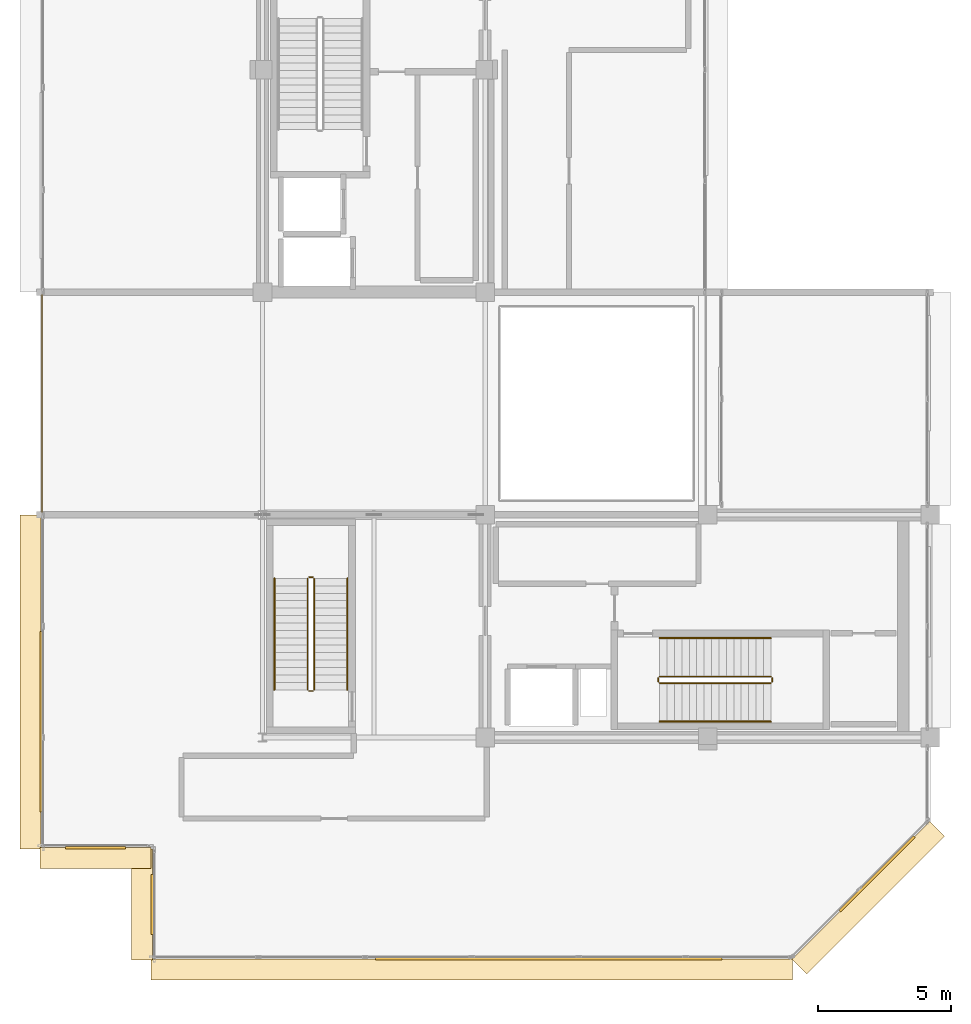
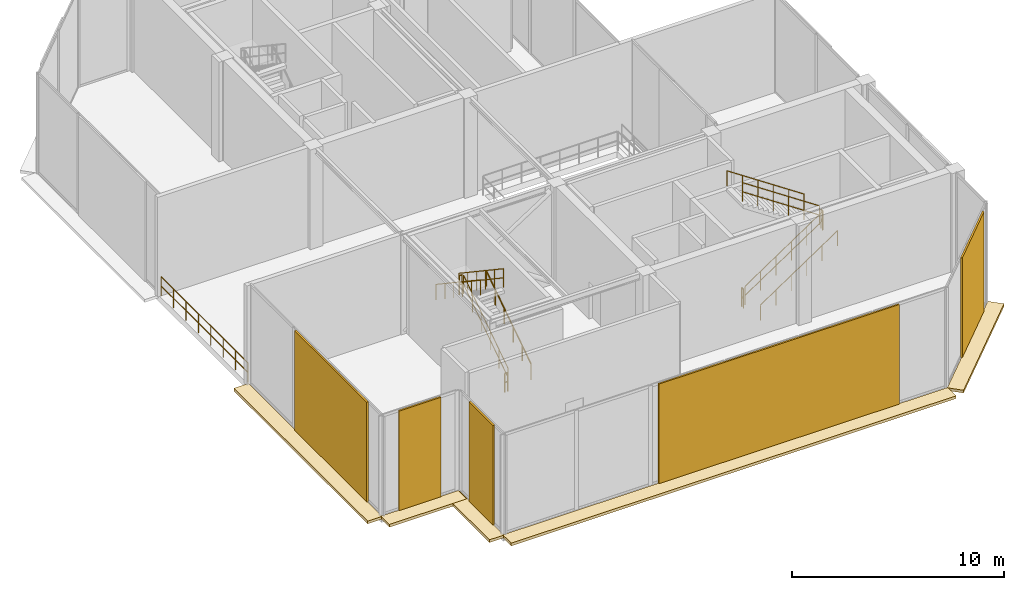
# One storey, part 17 of 19: 13 railings, 10 coverings.
"""IFC4 building model written with IfcOpenShell, lengths in metres."""

from ifc_helpers import new_model, si_unit, direction, frame, origin, origin_2d, place, context, subcontext, project, spatial, polyline, rectangle, circle, outline, extrude, material, layer, layer_set, type_object, element, save


model = new_model("IFC4")

# Units and contexts
model_context = context("Model", 3, precision=1e-05, world=origin(), true_north=direction((0.0, 1.0)))
body_context = subcontext(model_context, "Body", "Model", "MODEL_VIEW")
ifc_project = project(units=[si_unit("LENGTHUNIT", "METRE"), si_unit("AREAUNIT", "SQUARE_METRE"), si_unit("VOLUMEUNIT", "CUBIC_METRE"), si_unit("PLANEANGLEUNIT", "RADIAN"), si_unit("MASSUNIT", "GRAM", prefix="KILO")], contexts=[model_context])

# Site, building, storey
site_placement = place(None, origin())
site = spatial("IfcSite", under=ifc_project, at=site_placement, CompositionType="ELEMENT")
building_placement = place(site_placement, origin())
building = spatial("IfcBuilding", under=site, at=building_placement, Name="Nerrivon Quay Data Exchange", CompositionType="ELEMENT")
storey_placement = place(building_placement, frame((0.0, 0.0, 327.0)))
storey = spatial("IfcBuildingStorey", under=building, at=storey_placement, Name="L78", CompositionType="ELEMENT", Elevation=327.0)

# Coverings
ifc_material_1 = material(Name="Architectural terracotta ceramic", Category="masonry")
ifc_layer_1 = layer(ifc_material_1, 0.159912109375)
ifc_layer_set_1 = layer_set([ifc_layer_1], Name="Architectural terracotta ceramic")
covering_type_1 = type_object("IfcCoveringType", Name="COV-BLD-TERR", PredefinedType="CLADDING", material=ifc_layer_set_1)
covering_1_placement = place(storey_placement, frame((0.0, 0.0, -0.159912109375)))
element("IfcCovering", 1, at=covering_1_placement, inside=storey, type_object=covering_type_1, Name="L78 Horizontal Terracotta SOLAR SCREEN Blade", PredefinedType="CLADDING", context=body_context, shape_type="SweptSolid", body=[
    extrude(outline(polyline([(33.57177734375, 5.228271484375), (28.37158203125, 0.0283203125), (28.930419921875, -0.5302734375), (34.13037109375, 4.669677734375), (33.57177734375, 5.228271484375)])), origin(), (0.0, 0.0, 1.0), 0.159912109375),
])
covering_2_placement = place(storey_placement, frame((0.0, 0.0, -0.159912109375)))
element("IfcCovering", 2, at=covering_2_placement, inside=storey, type_object=covering_type_1, Name="L78 Horizontal Terracotta SOLAR SCREEN Blade", PredefinedType="CLADDING", context=body_context, shape_type="SweptSolid", body=[
    extrude(outline(polyline([(28.39990234375, 0.0400390625), (4.199951171875, 0.0400390625), (4.199951171875, -0.75), (28.39990234375, -0.75), (28.39990234375, 0.0400390625)])), origin(), (0.0, 0.0, 1.0), 0.159912109375),
])
covering_3_placement = place(storey_placement, frame((0.0, 0.0, -0.159912109375)))
element("IfcCovering", 3, at=covering_3_placement, inside=storey, type_object=covering_type_1, Name="L78 Horizontal Terracotta SOLAR SCREEN Blade", PredefinedType="CLADDING", context=body_context, shape_type="SweptSolid", body=[
    extrude(outline(polyline([(4.239990234375, 0.0), (4.239990234375, 4.199951171875), (3.449951171875, 4.199951171875), (3.449951171875, 0.0), (4.239990234375, 0.0)])), origin(), (0.0, 0.0, 1.0), 0.159912109375),
])
covering_4_placement = place(storey_placement, frame((0.0, 0.0, -0.159912109375)))
element("IfcCovering", 4, at=covering_4_placement, inside=storey, type_object=covering_type_1, Name="L78 Horizontal Terracotta SOLAR SCREEN Blade", PredefinedType="CLADDING", context=body_context, shape_type="SweptSolid", body=[
    extrude(outline(polyline([(4.199951171875, 4.239990234375), (0.0, 4.239990234375), (0.0, 3.449951171875), (4.199951171875, 3.449951171875), (4.199951171875, 4.239990234375)])), origin(), (0.0, 0.0, 1.0), 0.159912109375),
])
covering_5_placement = place(storey_placement, frame((0.0, 0.0, -0.159912109375)))
element("IfcCovering", 5, at=covering_5_placement, inside=storey, type_object=covering_type_1, Name="L78 Horizontal Terracotta SOLAR SCREEN Blade", PredefinedType="CLADDING", context=body_context, shape_type="SweptSolid", body=[
    extrude(outline(polyline([(0.0400390625, 4.199951171875), (0.0400390625, 16.800048828125), (-0.75, 16.800048828125), (-0.75, 4.199951171875), (0.0400390625, 4.199951171875)])), origin(), (0.0, 0.0, 1.0), 0.159912109375),
])
ifc_layer_2 = layer(ifc_material_1, 0.090087890625)
ifc_layer_set_2 = layer_set([ifc_layer_2], Name="Architectural terracotta ceramic")
covering_type_2 = type_object("IfcCoveringType", Name="COV-SCR-TERR", PredefinedType="CLADDING", material=ifc_layer_set_2)
covering_6_placement = place(storey_placement, frame((31.59228515625, 3.255859375, 0.0), z_axis=(0.0, 0.0, 1.0), x_axis=(-0.707106781187, -0.707106781187, 0.0)))
element("IfcCovering", 6, at=covering_6_placement, inside=storey, type_object=covering_type_2, Name="L78 Perforated Terracotta SOLAR SCREEN Cassette", PredefinedType="CLADDING", context=body_context, shape_type="SweptSolid", body=[
    extrude(rectangle(XDim=3.970947265625, YDim=0.090087890625, at=origin_2d()), origin(), (0.0, 0.0, 1.0), 5.72509765625),
])
covering_7_placement = place(storey_placement, frame((19.2041015625, 0.044921875, 0.0), z_axis=(0.0, 0.0, 1.0), x_axis=(-1.0, 0.0, 0.0)))
element("IfcCovering", 7, at=covering_7_placement, inside=storey, type_object=covering_type_2, Name="L78 Perforated Terracotta SOLAR SCREEN Cassette", PredefinedType="CLADDING", context=body_context, shape_type="SweptSolid", body=[
    extrude(rectangle(XDim=13.068115234375, YDim=0.090087890625, at=origin_2d()), origin(), (0.0, 0.0, 1.0), 5.72509765625),
])
for number, where, z_axis, x_axis, name in (
    (8, (4.2451171875, 2.10009765625, 0.0), (0.0, 0.0, 1.0), (0.0, 1.0, 0.0), "L78 Perforated Terracotta SOLAR SCREEN Cassette"),
    (9, (2.10009765625, 4.2451171875, 0.0), (0.0, 0.0, 1.0), (-1.0, 0.0, 0.0), "L78 Perforated Terracotta SOLAR SCREEN Cassette"),
):
    element("IfcCovering", number, at=place(storey_placement, frame(where, z_axis=z_axis, x_axis=x_axis)), inside=storey, type_object=covering_type_2, Name=name, PredefinedType="CLADDING", context=body_context, shape_type="SweptSolid", body=[
        extrude(rectangle(XDim=2.26806640625, YDim=0.090087890625, at=origin_2d()), origin(), (0.0, 0.0, 1.0), 5.72509765625),
    ])
covering_8_placement = place(storey_placement, frame((0.044921875, 8.988037109375, 0.0), z_axis=(0.0, 0.0, 1.0), x_axis=(0.0, 1.0, 0.0)))
element("IfcCovering", 10, at=covering_8_placement, inside=storey, type_object=covering_type_2, Name="L78 Perforated Terracotta SOLAR SCREEN Cassette", PredefinedType="CLADDING", context=body_context, shape_type="SweptSolid", body=[
    extrude(rectangle(XDim=6.803955078125, YDim=0.090087890625, at=origin_2d()), origin(), (0.0, 0.0, 1.0), 5.72509765625),
])

# Railings
ifc_material_2 = material(Name="Steel Grade C350L0 (350 MPa)", Category="steel")
railing_type_1 = type_object("IfcRailingType", Name="RAIL-GUARD-GR2", PredefinedType="BALUSTRADE", material=ifc_material_2)
railing_1_placement = place(storey_placement, frame((0.080078125, 16.89990234375, 0.0)))
element("IfcRailing", 11, at=railing_1_placement, inside=storey, type_object=railing_type_1, Name="L78 Wind Portal West Edge Guard 1", PredefinedType="BALUSTRADE", context=body_context, shape_type="SweptSolid", body=[
    extrude(circle(Radius=0.02392578125, at=origin_2d()), frame((0.0, 0.0, 1.09619140625), z_axis=(0.0, 1.0, 0.0), x_axis=(-1.0, 0.0, 0.0)), (0.0, 0.0, 1.0), 8.2001953125),
    extrude(circle(Radius=0.02392578125, at=origin_2d()), frame((0.0, 0.0, 0.56005859375), z_axis=(0.0, 1.0, 0.0), x_axis=(-1.0, 0.0, 0.0)), (0.0, 0.0, 1.0), 8.2001953125),
    extrude(circle(Radius=0.02099609375, at=origin_2d()), origin(), (0.0, 0.0, 1.0), 1.072021484375),
    extrude(circle(Radius=0.02099609375, at=origin_2d()), frame((0.0, 1.17138671875, 0.0)), (0.0, 0.0, 1.0), 1.072021484375),
    extrude(circle(Radius=0.02099609375, at=origin_2d()), frame((0.0, 2.343017578125, 0.0)), (0.0, 0.0, 1.0), 1.072021484375),
    extrude(circle(Radius=0.02099609375, at=origin_2d()), frame((0.0, 3.514404296875, 0.0)), (0.0, 0.0, 1.0), 1.072021484375),
    extrude(circle(Radius=0.02099609375, at=origin_2d()), frame((0.0, 4.685791015625, 0.0)), (0.0, 0.0, 1.0), 1.072021484375),
    extrude(circle(Radius=0.02099609375, at=origin_2d()), frame((0.0, 5.857177734375, 0.0)), (0.0, 0.0, 1.0), 1.072021484375),
    extrude(circle(Radius=0.02099609375, at=origin_2d()), frame((0.0, 7.02880859375, 0.0)), (0.0, 0.0, 1.0), 1.072021484375),
    extrude(circle(Radius=0.02099609375, at=origin_2d()), frame((0.0, 8.2001953125, 0.0)), (0.0, 0.0, 1.0), 1.072021484375),
])
railing_type_2 = type_object("IfcRailingType", Name="RAIL-HAND-HR1", PredefinedType="HANDRAIL", material=ifc_material_2)
railing_2_placement = place(storey_placement, frame((23.3798828125, 9.0, 0.1875)))
element("IfcRailing", 12, at=railing_2_placement, inside=storey, type_object=railing_type_2, Name="L78 ST02 stair handrail 1", PredefinedType="HANDRAIL", context=body_context, shape_type="SweptSolid", body=[
    extrude(circle(Radius=0.02392578125, at=origin_2d()), frame((0.0, 0.0, 0.8759765625), z_axis=(0.830919138977, 0.0, 0.55639319234), x_axis=(0.0, 1.0, 0.0)), (0.0, 0.0, 1.0), 5.054931640625),
    extrude(circle(Radius=0.02099609375, at=origin_2d()), origin(), (0.0, 0.0, 1.0), 0.851806640625),
    extrude(circle(Radius=0.02099609375, at=origin_2d()), frame((0.840087890625, 0.0, 0.5625)), (0.0, 0.0, 1.0), 0.851806640625),
    extrude(circle(Radius=0.02099609375, at=origin_2d()), frame((1.68017578125, 0.0, 1.125)), (0.0, 0.0, 1.0), 0.851806640625),
    extrude(circle(Radius=0.02099609375, at=origin_2d()), frame((2.52001953125, 0.0, 1.6875)), (0.0, 0.0, 1.0), 0.851806640625),
    extrude(circle(Radius=0.02099609375, at=origin_2d()), frame((3.360107421875, 0.0, 2.25)), (0.0, 0.0, 1.0), 0.851806640625),
    extrude(circle(Radius=0.02099609375, at=origin_2d()), frame((4.2001953125, 0.0, 2.8125)), (0.0, 0.0, 1.0), 0.851806640625),
])
railing_3_placement = place(storey_placement, frame((27.580078125, 12.14990234375, 3.1875)))
element("IfcRailing", 13, at=railing_3_placement, inside=storey, type_object=railing_type_2, Name="L78 ST02 stair handrail 2", PredefinedType="HANDRAIL", context=body_context, shape_type="SweptSolid", body=[
    extrude(circle(Radius=0.02392578125, at=origin_2d()), frame((0.0, 0.0, 0.8759765625), z_axis=(-0.830919138977, 0.0, 0.55639319234), x_axis=(0.0, -1.0, 0.0)), (0.0, 0.0, 1.0), 5.054931640625),
    extrude(circle(Radius=0.02099609375, at=origin_2d()), origin(), (0.0, 0.0, 1.0), 0.851806640625),
    extrude(circle(Radius=0.02099609375, at=origin_2d()), frame((-0.840087890625, 0.0, 0.5625)), (0.0, 0.0, 1.0), 0.851806640625),
    extrude(circle(Radius=0.02099609375, at=origin_2d()), frame((-1.68017578125, 0.0, 1.125)), (0.0, 0.0, 1.0), 0.851806640625),
    extrude(circle(Radius=0.02099609375, at=origin_2d()), frame((-2.52001953125, 0.0, 1.6875)), (0.0, 0.0, 1.0), 0.851806640625),
    extrude(circle(Radius=0.02099609375, at=origin_2d()), frame((-3.360107421875, 0.0, 2.25)), (0.0, 0.0, 1.0), 0.851806640625),
    extrude(circle(Radius=0.02099609375, at=origin_2d()), frame((-4.2001953125, 0.0, 2.8125)), (0.0, 0.0, 1.0), 0.851806640625),
])
railing_4_placement = place(storey_placement, frame((11.60009765625, 10.199951171875, 0.1875)))
element("IfcRailing", 14, at=railing_4_placement, inside=storey, type_object=railing_type_2, Name="L78 ST08 stair handrail 1", PredefinedType="HANDRAIL", context=body_context, shape_type="SweptSolid", body=[
    extrude(circle(Radius=0.02392578125, at=origin_2d()), frame((0.0, 0.0, 0.8759765625), z_axis=(0.0, 0.830904186295, 0.556415522067), x_axis=(-1.0, 0.0, 0.0)), (0.0, 0.0, 1.0), 5.0546875),
    extrude(circle(Radius=0.02099609375, at=origin_2d()), origin(), (0.0, 0.0, 1.0), 0.851806640625),
    extrude(circle(Radius=0.02099609375, at=origin_2d()), frame((0.0, 0.840087890625, 0.5625)), (0.0, 0.0, 1.0), 0.851806640625),
    extrude(circle(Radius=0.02099609375, at=origin_2d()), frame((0.0, 1.679931640625, 1.125)), (0.0, 0.0, 1.0), 0.851806640625),
    extrude(circle(Radius=0.02099609375, at=origin_2d()), frame((0.0, 2.52001953125, 1.6875)), (0.0, 0.0, 1.0), 0.851806640625),
    extrude(circle(Radius=0.02099609375, at=origin_2d()), frame((0.0, 3.35986328125, 2.25)), (0.0, 0.0, 1.0), 0.851806640625),
    extrude(circle(Radius=0.02099609375, at=origin_2d()), frame((0.0, 4.199951171875, 2.8125)), (0.0, 0.0, 1.0), 0.851806640625),
])
railing_5_placement = place(storey_placement, frame((8.85009765625, 14.39990234375, 3.1875)))
element("IfcRailing", 15, at=railing_5_placement, inside=storey, type_object=railing_type_2, Name="L78 ST08 stair handrail 2", PredefinedType="HANDRAIL", context=body_context, shape_type="SweptSolid", body=[
    extrude(circle(Radius=0.02392578125, at=origin_2d()), frame((0.0, 0.0, 0.8759765625), z_axis=(0.0, -0.830904186295, 0.556415522067), x_axis=(1.0, 0.0, 0.0)), (0.0, 0.0, 1.0), 5.0546875),
    extrude(circle(Radius=0.02099609375, at=origin_2d()), origin(), (0.0, 0.0, 1.0), 0.851806640625),
    extrude(circle(Radius=0.02099609375, at=origin_2d()), frame((0.0, -0.840087890625, 0.5625)), (0.0, 0.0, 1.0), 0.851806640625),
    extrude(circle(Radius=0.02099609375, at=origin_2d()), frame((0.0, -1.679931640625, 1.125)), (0.0, 0.0, 1.0), 0.851806640625),
    extrude(circle(Radius=0.02099609375, at=origin_2d()), frame((0.0, -2.52001953125, 1.6875)), (0.0, 0.0, 1.0), 0.851806640625),
    extrude(circle(Radius=0.02099609375, at=origin_2d()), frame((0.0, -3.35986328125, 2.25)), (0.0, 0.0, 1.0), 0.851806640625),
    extrude(circle(Radius=0.02099609375, at=origin_2d()), frame((0.0, -4.199951171875, 2.8125)), (0.0, 0.0, 1.0), 0.851806640625),
])
railing_type_3 = type_object("IfcRailingType", Name="RAIL-STAIR-GR1", PredefinedType="BALUSTRADE", material=ifc_material_2)
railing_6_placement = place(storey_placement, frame((23.3798828125, 10.449951171875, 0.1875)))
element("IfcRailing", 16, at=railing_6_placement, inside=storey, type_object=railing_type_3, Name="L78 ST02 stair guard 1", PredefinedType="BALUSTRADE", context=body_context, shape_type="SweptSolid", body=[
    extrude(circle(Radius=0.02392578125, at=origin_2d()), frame((0.0, 0.0, 1.076171875), z_axis=(0.830919138977, 0.0, 0.55639319234), x_axis=(0.0, 1.0, 0.0)), (0.0, 0.0, 1.0), 5.054931640625),
    extrude(circle(Radius=0.02392578125, at=origin_2d()), frame((0.0, 0.0, 0.550048828125), z_axis=(0.830919138977, 0.0, 0.55639319234), x_axis=(0.0, 1.0, 0.0)), (0.0, 0.0, 1.0), 5.054931640625),
    extrude(circle(Radius=0.02099609375, at=origin_2d()), origin(), (0.0, 0.0, 1.0), 1.052001953125),
    extrude(circle(Radius=0.02099609375, at=origin_2d()), frame((0.840087890625, 0.0, 0.5625)), (0.0, 0.0, 1.0), 1.052001953125),
    extrude(circle(Radius=0.02099609375, at=origin_2d()), frame((1.68017578125, 0.0, 1.125)), (0.0, 0.0, 1.0), 1.052001953125),
    extrude(circle(Radius=0.02099609375, at=origin_2d()), frame((2.52001953125, 0.0, 1.6875)), (0.0, 0.0, 1.0), 1.052001953125),
    extrude(circle(Radius=0.02099609375, at=origin_2d()), frame((3.360107421875, 0.0, 2.25)), (0.0, 0.0, 1.0), 1.052001953125),
    extrude(circle(Radius=0.02099609375, at=origin_2d()), frame((4.2001953125, 0.0, 2.8125)), (0.0, 0.0, 1.0), 1.052001953125),
])
railing_7_placement = place(storey_placement, frame((27.6298828125, 10.5, 3.0)))
element("IfcRailing", 17, at=railing_7_placement, inside=storey, type_object=railing_type_3, Name="L78 ST02 stair guard 2", PredefinedType="BALUSTRADE", context=body_context, shape_type="SweptSolid", body=[
    extrude(circle(Radius=0.02392578125, at=origin_2d()), frame((0.0, 0.0, 1.076171875), z_axis=(0.0, 1.0, 0.0), x_axis=(-1.0, 0.0, 0.0)), (0.0, 0.0, 1.0), 0.14990234375),
    extrude(circle(Radius=0.02392578125, at=origin_2d()), frame((0.0, 0.0, 0.550048828125), z_axis=(0.0, 1.0, 0.0), x_axis=(-1.0, 0.0, 0.0)), (0.0, 0.0, 1.0), 0.14990234375),
    extrude(circle(Radius=0.02099609375, at=origin_2d()), origin(), (0.0, 0.0, 1.0), 1.052001953125),
    extrude(circle(Radius=0.02099609375, at=origin_2d()), frame((0.0, 0.14990234375, 0.0)), (0.0, 0.0, 1.0), 1.052001953125),
])
railing_8_placement = place(storey_placement, frame((27.580078125, 10.699951171875, 3.1875)))
element("IfcRailing", 18, at=railing_8_placement, inside=storey, type_object=railing_type_3, Name="L78 ST02 stair guard 3", PredefinedType="BALUSTRADE", context=body_context, shape_type="SweptSolid", body=[
    extrude(circle(Radius=0.02392578125, at=origin_2d()), frame((0.0, 0.0, 1.076171875), z_axis=(-0.830919138977, 0.0, 0.55639319234), x_axis=(0.0, -1.0, 0.0)), (0.0, 0.0, 1.0), 5.054931640625),
    extrude(circle(Radius=0.02392578125, at=origin_2d()), frame((0.0, 0.0, 0.550048828125), z_axis=(-0.830919138977, 0.0, 0.55639319234), x_axis=(0.0, -1.0, 0.0)), (0.0, 0.0, 1.0), 5.054931640625),
    extrude(circle(Radius=0.02099609375, at=origin_2d()), origin(), (0.0, 0.0, 1.0), 1.052001953125),
    extrude(circle(Radius=0.02099609375, at=origin_2d()), frame((-0.840087890625, 0.0, 0.5625)), (0.0, 0.0, 1.0), 1.052001953125),
    extrude(circle(Radius=0.02099609375, at=origin_2d()), frame((-1.68017578125, 0.0, 1.125)), (0.0, 0.0, 1.0), 1.052001953125),
    extrude(circle(Radius=0.02099609375, at=origin_2d()), frame((-2.52001953125, 0.0, 1.6875)), (0.0, 0.0, 1.0), 1.052001953125),
    extrude(circle(Radius=0.02099609375, at=origin_2d()), frame((-3.360107421875, 0.0, 2.25)), (0.0, 0.0, 1.0), 1.052001953125),
    extrude(circle(Radius=0.02099609375, at=origin_2d()), frame((-4.2001953125, 0.0, 2.8125)), (0.0, 0.0, 1.0), 1.052001953125),
])
railing_9_placement = place(storey_placement, frame((23.330078125, 10.5, 0.0)))
element("IfcRailing", 19, at=railing_9_placement, inside=storey, type_object=railing_type_3, Name="L78 ST02 stair guard 4", PredefinedType="BALUSTRADE", context=body_context, shape_type="SweptSolid", body=[
    extrude(circle(Radius=0.02392578125, at=origin_2d()), frame((0.0, 0.0, 1.076171875), z_axis=(0.0, 1.0, 0.0), x_axis=(-1.0, 0.0, 0.0)), (0.0, 0.0, 1.0), 0.14990234375),
    extrude(circle(Radius=0.02392578125, at=origin_2d()), frame((0.0, 0.0, 0.550048828125), z_axis=(0.0, 1.0, 0.0), x_axis=(-1.0, 0.0, 0.0)), (0.0, 0.0, 1.0), 0.14990234375),
    extrude(circle(Radius=0.02099609375, at=origin_2d()), origin(), (0.0, 0.0, 1.0), 1.052001953125),
    extrude(circle(Radius=0.02099609375, at=origin_2d()), frame((0.0, 0.14990234375, 0.0)), (0.0, 0.0, 1.0), 1.052001953125),
])
railing_10_placement = place(storey_placement, frame((10.35009765625, 10.199951171875, 0.1875)))
element("IfcRailing", 20, at=railing_10_placement, inside=storey, type_object=railing_type_3, Name="L78 ST08 stair guard 1", PredefinedType="BALUSTRADE", context=body_context, shape_type="SweptSolid", body=[
    extrude(circle(Radius=0.02392578125, at=origin_2d()), frame((0.0, 0.0, 1.076171875), z_axis=(0.0, 0.830904186295, 0.556415522067), x_axis=(-1.0, 0.0, 0.0)), (0.0, 0.0, 1.0), 5.0546875),
    extrude(circle(Radius=0.02392578125, at=origin_2d()), frame((0.0, 0.0, 0.550048828125), z_axis=(0.0, 0.830904186295, 0.556415522067), x_axis=(-1.0, 0.0, 0.0)), (0.0, 0.0, 1.0), 5.0546875),
    extrude(circle(Radius=0.02099609375, at=origin_2d()), origin(), (0.0, 0.0, 1.0), 1.052001953125),
    extrude(circle(Radius=0.02099609375, at=origin_2d()), frame((0.0, 0.840087890625, 0.5625)), (0.0, 0.0, 1.0), 1.052001953125),
    extrude(circle(Radius=0.02099609375, at=origin_2d()), frame((0.0, 1.679931640625, 1.125)), (0.0, 0.0, 1.0), 1.052001953125),
    extrude(circle(Radius=0.02099609375, at=origin_2d()), frame((0.0, 2.52001953125, 1.6875)), (0.0, 0.0, 1.0), 1.052001953125),
    extrude(circle(Radius=0.02099609375, at=origin_2d()), frame((0.0, 3.35986328125, 2.25)), (0.0, 0.0, 1.0), 1.052001953125),
    extrude(circle(Radius=0.02099609375, at=origin_2d()), frame((0.0, 4.199951171875, 2.8125)), (0.0, 0.0, 1.0), 1.052001953125),
])
railing_11_placement = place(storey_placement, frame((10.300048828125, 14.449951171875, 3.0)))
element("IfcRailing", 21, at=railing_11_placement, inside=storey, type_object=railing_type_3, Name="L78 ST08 stair guard 2", PredefinedType="BALUSTRADE", context=body_context, shape_type="SweptSolid", body=[
    extrude(circle(Radius=0.02392578125, at=origin_2d()), frame((0.0, 0.0, 1.076171875), z_axis=(-1.0, 0.0, 0.0), x_axis=(0.0, -1.0, 0.0)), (0.0, 0.0, 1.0), 0.150146484375),
    extrude(circle(Radius=0.02392578125, at=origin_2d()), frame((0.0, 0.0, 0.550048828125), z_axis=(-1.0, 0.0, 0.0), x_axis=(0.0, -1.0, 0.0)), (0.0, 0.0, 1.0), 0.150146484375),
    extrude(circle(Radius=0.02099609375, at=origin_2d()), origin(), (0.0, 0.0, 1.0), 1.052001953125),
    extrude(circle(Radius=0.02099609375, at=origin_2d()), frame((-0.150146484375, 0.0, 0.0)), (0.0, 0.0, 1.0), 1.052001953125),
])
railing_12_placement = place(storey_placement, frame((10.10009765625, 14.39990234375, 3.1875)))
element("IfcRailing", 22, at=railing_12_placement, inside=storey, type_object=railing_type_3, Name="L78 ST08 stair guard 3", PredefinedType="BALUSTRADE", context=body_context, shape_type="SweptSolid", body=[
    extrude(circle(Radius=0.02392578125, at=origin_2d()), frame((0.0, 0.0, 1.076171875), z_axis=(0.0, -0.830904186295, 0.556415522067), x_axis=(1.0, 0.0, 0.0)), (0.0, 0.0, 1.0), 5.0546875),
    extrude(circle(Radius=0.02392578125, at=origin_2d()), frame((0.0, 0.0, 0.550048828125), z_axis=(0.0, -0.830904186295, 0.556415522067), x_axis=(1.0, 0.0, 0.0)), (0.0, 0.0, 1.0), 5.0546875),
    extrude(circle(Radius=0.02099609375, at=origin_2d()), origin(), (0.0, 0.0, 1.0), 1.052001953125),
    extrude(circle(Radius=0.02099609375, at=origin_2d()), frame((0.0, -0.840087890625, 0.5625)), (0.0, 0.0, 1.0), 1.052001953125),
    extrude(circle(Radius=0.02099609375, at=origin_2d()), frame((0.0, -1.679931640625, 1.125)), (0.0, 0.0, 1.0), 1.052001953125),
    extrude(circle(Radius=0.02099609375, at=origin_2d()), frame((0.0, -2.52001953125, 1.6875)), (0.0, 0.0, 1.0), 1.052001953125),
    extrude(circle(Radius=0.02099609375, at=origin_2d()), frame((0.0, -3.35986328125, 2.25)), (0.0, 0.0, 1.0), 1.052001953125),
    extrude(circle(Radius=0.02099609375, at=origin_2d()), frame((0.0, -4.199951171875, 2.8125)), (0.0, 0.0, 1.0), 1.052001953125),
])
railing_13_placement = place(storey_placement, frame((10.300048828125, 10.14990234375, 0.0)))
element("IfcRailing", 23, at=railing_13_placement, inside=storey, type_object=railing_type_3, Name="L78 ST08 stair guard 4", PredefinedType="BALUSTRADE", context=body_context, shape_type="SweptSolid", body=[
    extrude(circle(Radius=0.02392578125, at=origin_2d()), frame((0.0, 0.0, 1.076171875), z_axis=(-1.0, 0.0, 0.0), x_axis=(0.0, -1.0, 0.0)), (0.0, 0.0, 1.0), 0.150146484375),
    extrude(circle(Radius=0.02392578125, at=origin_2d()), frame((0.0, 0.0, 0.550048828125), z_axis=(-1.0, 0.0, 0.0), x_axis=(0.0, -1.0, 0.0)), (0.0, 0.0, 1.0), 0.150146484375),
    extrude(circle(Radius=0.02099609375, at=origin_2d()), origin(), (0.0, 0.0, 1.0), 1.052001953125),
    extrude(circle(Radius=0.02099609375, at=origin_2d()), frame((-0.150146484375, 0.0, 0.0)), (0.0, 0.0, 1.0), 1.052001953125),
])

save(model, "model.ifc")
